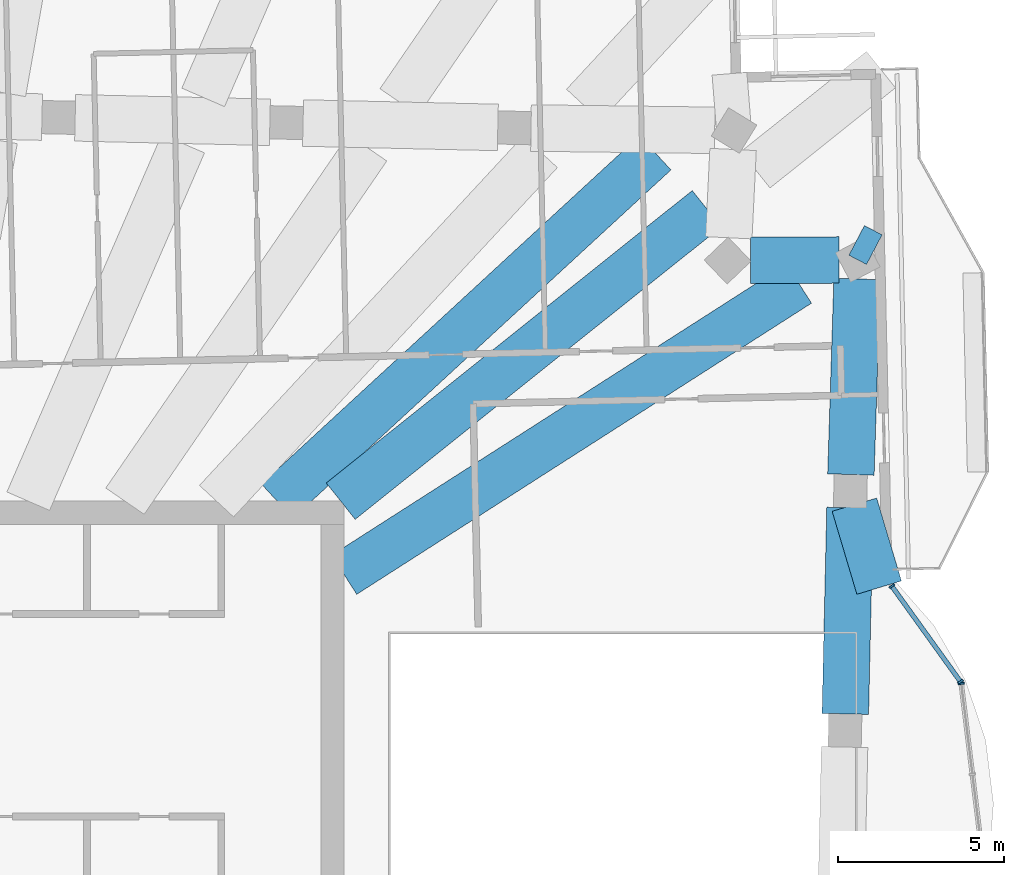
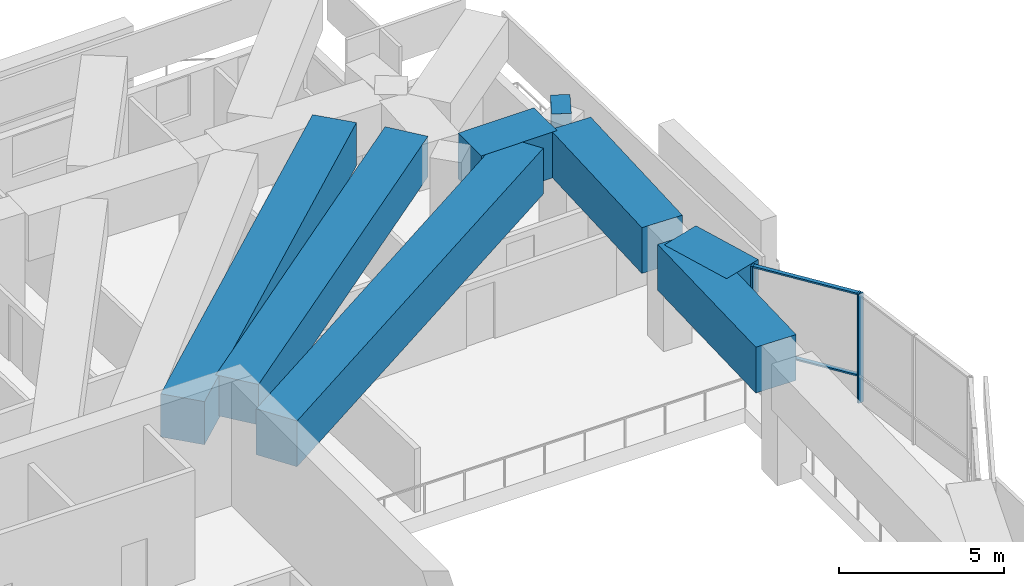
# One storey, part 7 of 21: 8 beams, 5 members, 2 elements without a shape of their own.
"""IFC4 building model written with IfcOpenShell, lengths in metres."""

import ifcopenshell
import ifcopenshell.guid

model = None  # the IFC model being written
_history = None  # IfcOwnerHistory: only IFC2X3 demands one
_inside = {}  # id of a spatial element -> (the spatial element, [elements in it])
_under = {}  # id of a project, library or spatial element -> (it, [spatial elements below it])
_declared = {}  # id of a project -> (the project, [libraries it declares])
_typed = {}  # id of a type object -> (the type object, [elements of that type])
_made_of = {}  # id of a material, layer set ... -> (it, [elements and type objects made of it])


def new_model(schema):
    """Start an empty IFC model of exactly this schema.

    Asked for "IFC4X3", IfcOpenShell would pick the latest addendum, in which some entities
    have other attributes; the version numbers below select the first issue.
    IFC2X3 requires an IfcOwnerHistory on every rooted entity: one is made here for all.
    """
    global model, _history
    if schema == "IFC4X3":
        model = ifcopenshell.file(schema_version=(4, 3, 0, 0))
    else:
        model = ifcopenshell.file(schema=schema)
    _inside.clear()
    _under.clear()
    _declared.clear()
    _typed.clear()
    _made_of.clear()
    _history = None
    if model.schema == "IFC2X3":
        org = make("IfcOrganization", Name="unknown")
        user = make(
            "IfcPersonAndOrganization",
            ThePerson=make("IfcPerson", FamilyName="unknown"),
            TheOrganization=org,
        )
        app = make(
            "IfcApplication",
            ApplicationDeveloper=org,
            Version="unknown",
            ApplicationFullName="unknown",
            ApplicationIdentifier="unknown",
        )
        _history = make(
            "IfcOwnerHistory",
            OwningUser=user,
            OwningApplication=app,
            ChangeAction="ADDED",
            CreationDate=0,
        )
    return model


def make(cls, **values):
    """One entity of the class cls with the attributes given. An attribute that is None is left unset."""
    return model.create_entity(
        cls, **{name: value for name, value in values.items() if value is not None}
    )


def rooted(cls, **values):
    """An entity with a GlobalId (a new one), such as an element, a storey or a relation."""
    return make(cls, GlobalId=ifcopenshell.guid.new(), OwnerHistory=_history, **values)


def si_unit(unit_type, name, prefix=None):
    """IfcSIUnit, for example si_unit("LENGTHUNIT", "METRE", prefix="MILLI")."""
    return make("IfcSIUnit", UnitType=unit_type, Prefix=prefix, Name=name)


def assignment(units):
    """IfcUnitAssignment: the units of a project."""
    return None if units is None else make("IfcUnitAssignment", Units=units)


def point(xyz):
    """IfcCartesianPoint."""
    return None if xyz is None else make("IfcCartesianPoint", Coordinates=xyz)


def direction(xyz):
    """IfcDirection."""
    return None if xyz is None else make("IfcDirection", DirectionRatios=xyz)


def frame(location, z_axis=None, x_axis=None):
    """IfcAxis2Placement3D, a coordinate frame: its origin and axes. An axis left out is left unset."""
    return make(
        "IfcAxis2Placement3D",
        Location=point(location),
        Axis=direction(z_axis),
        RefDirection=direction(x_axis),
    )


def frame_2d(location, x_axis=None):
    """IfcAxis2Placement2D, a coordinate frame in the plane: its origin and x axis."""
    return make(
        "IfcAxis2Placement2D", Location=point(location), RefDirection=direction(x_axis)
    )


def origin():
    """The frame at (0, 0, 0) with its axes left unset."""
    return frame((0.0, 0.0, 0.0))


def origin_2d():
    """The frame at (0, 0) in the plane with its x axis left unset."""
    return frame_2d((0.0, 0.0))


def place(relative_to, where):
    """IfcLocalPlacement: puts the frame where relative to a parent placement (None: the world)."""
    return make(
        "IfcLocalPlacement", PlacementRelTo=relative_to, RelativePlacement=where
    )


def context(
    kind, dimensions, precision=None, world=None, true_north=None, identifier=None
):
    """IfcGeometricRepresentationContext, for example the 3D "Model" context."""
    return make(
        "IfcGeometricRepresentationContext",
        ContextIdentifier=identifier,
        ContextType=kind,
        CoordinateSpaceDimension=dimensions,
        Precision=precision,
        WorldCoordinateSystem=world,
        TrueNorth=true_north,
    )


def subcontext(parent, identifier, kind, view, scale=None):
    """IfcGeometricRepresentationSubContext, for example "Body" below "Model"."""
    return make(
        "IfcGeometricRepresentationSubContext",
        ContextIdentifier=identifier,
        ContextType=kind,
        ParentContext=parent,
        TargetScale=scale,
        TargetView=view,
    )


def project(units=None, contexts=None):
    """IfcProject with its units and contexts."""
    return rooted(
        "IfcProject",
        Name="project",
        RepresentationContexts=contexts,
        UnitsInContext=assignment(units),
    )


def spatial(cls, under=None, at=None, **own):
    """A site, building, storey or space (cls), placed at a placement, below another one or the project."""
    s = rooted(cls, ObjectPlacement=at, **own)
    if under is not None:
        _under.setdefault(under.id(), (under, []))[1].append(s)
    return s


def profile(cls, at=None, kind="AREA", **sizes):
    """A parametric profile (cls). Its sizes go by their IFC names, for example OverallWidth=200.0."""
    return make(cls, ProfileType=kind, Position=at, **sizes)


def rectangle(**sizes):
    """IfcRectangleProfileDef."""
    return profile("IfcRectangleProfileDef", **sizes)


def extrude(swept, where, along, depth):
    """IfcExtrudedAreaSolid: the profile swept, set in the frame where, extruded along a direction by depth."""
    return make(
        "IfcExtrudedAreaSolid",
        SweptArea=swept,
        Position=where,
        ExtrudedDirection=direction(along),
        Depth=depth,
    )


def shape(context_of_items, identifier, shape_type, items):
    """IfcShapeRepresentation: the items that make up one representation, for example the "Body"."""
    return make(
        "IfcShapeRepresentation",
        ContextOfItems=context_of_items,
        RepresentationIdentifier=identifier,
        RepresentationType=shape_type,
        Items=items,
    )


def material(Name=None, Category=None):
    """IfcMaterial."""
    return make("IfcMaterial", Name=Name, Category=Category)


def material_profile(
    of_material, cross_section, Name=None, Category=None, Priority=None
):
    """IfcMaterialProfile: a cross section and its material."""
    return make(
        "IfcMaterialProfile",
        Name=Name,
        Material=of_material,
        Profile=cross_section,
        Priority=Priority,
        Category=Category,
    )


def profile_set(profiles, Name=None, composite=None):
    """IfcMaterialProfileSet."""
    return make(
        "IfcMaterialProfileSet",
        Name=Name,
        MaterialProfiles=profiles,
        CompositeProfile=composite,
    )


def made_of(thing, what):
    """Note that an element or type object is made of a material, layer set ...; save() writes the relation."""
    if what is not None:
        _made_of.setdefault(what.id(), (what, []))[1].append(thing)
    return thing


def type_object(cls, material=None, **own):
    """A type object (cls), such as IfcWallType, which elements share."""
    return made_of(rooted(cls, **own), material)


def element(
    cls,
    number,
    at=None,
    inside=None,
    cuts=None,
    type_object=None,
    material=None,
    context=None,
    identifier="Body",
    shape_type=None,
    held_by="IfcProductDefinitionShape",
    body=None,
    shapes=None,
    **own,
):
    """One element of the class cls, such as IfcWall. Its Tag is "e" and its number.

    at: its placement. inside: the storey or other place that contains it. cuts: it is an
    opening in that element (IfcRelVoidsElement). A single representation is given by context,
    identifier, shape_type and body (its items); several are given by shapes. held_by: the class
    of the entity that holds the representations. save() writes the other relations.
    """
    e = rooted(cls, Tag="e%d" % number, ObjectPlacement=at, **own)
    if body is not None:
        shapes = [shape(context, identifier, shape_type, body)]
    if shapes is not None:
        e.Representation = make(held_by, Representations=shapes)
    if inside is not None:
        _inside.setdefault(inside.id(), (inside, []))[1].append(e)
    if cuts is not None:
        rooted(
            "IfcRelVoidsElement", RelatingBuildingElement=cuts, RelatedOpeningElement=e
        )
    if type_object is not None:
        _typed.setdefault(type_object.id(), (type_object, []))[1].append(e)
    return made_of(e, material)


def aggregate(whole, parts):
    """IfcRelAggregates: a whole, such as a stair, and the parts it consists of."""
    return rooted("IfcRelAggregates", RelatingObject=whole, RelatedObjects=parts)


def save(model, path):
    """Write the relations noted so far, then the file.

    IfcRelAggregates (storeys below a building ...), IfcRelContainedInSpatialStructure (elements
    in a storey), IfcRelDefinesByType, IfcRelAssociatesMaterial and IfcRelDeclares: one each for
    every whole, place, type object, material and project.
    """
    for whole, parts in _under.values():
        aggregate(whole, parts)
    for where, things in _inside.values():
        rooted(
            "IfcRelContainedInSpatialStructure",
            RelatedElements=things,
            RelatingStructure=where,
        )
    for kind, things in _typed.values():
        rooted("IfcRelDefinesByType", RelatedObjects=things, RelatingType=kind)
    for what, things in _made_of.values():
        rooted("IfcRelAssociatesMaterial", RelatedObjects=things, RelatingMaterial=what)
    for by, libraries in _declared.values():
        rooted("IfcRelDeclares", RelatingContext=by, RelatedDefinitions=libraries)
    model.write(path)


model = new_model("IFC4")

# Units and contexts
model_context = context("Model", 3, precision=1e-05, world=origin(), true_north=direction((0.0, 1.0)))
body_context = subcontext(model_context, "Body", "Model", "MODEL_VIEW")
ifc_project = project(units=[si_unit("LENGTHUNIT", "METRE"), si_unit("AREAUNIT", "SQUARE_METRE"), si_unit("VOLUMEUNIT", "CUBIC_METRE"), si_unit("PLANEANGLEUNIT", "RADIAN"), si_unit("MASSUNIT", "GRAM", prefix="KILO")], contexts=[model_context])

# Site, building, storey
site_placement = place(None, origin())
site = spatial("IfcSite", under=ifc_project, at=site_placement, CompositionType="ELEMENT")
building_placement = place(site_placement, origin())
building = spatial("IfcBuilding", under=site, at=building_placement, Name="Mangrove Gate Tower", CompositionType="ELEMENT")
storey_placement = place(building_placement, frame((0.0, 0.0, 275.300048828125)))
storey = spatial("IfcBuildingStorey", under=building, at=storey_placement, Name="L70", CompositionType="ELEMENT", Elevation=275.300048828125)

# Curtain wall, member
ifc_material_1 = material(Name="Aluminium and glass curtain wall", Category="aluminium")
curtain_wall_type = type_object("IfcCurtainWallType", Name="Sky-lounge glazing wall", PredefinedType="NOTDEFINED", material=ifc_material_1)
curtain_wall_1_placement = place(storey_placement, origin())
curtain_wall_1 = element("IfcCurtainWall", 1, at=curtain_wall_1_placement, inside=storey, type_object=curtain_wall_type, Name="Sky-lounge glazing E1f2", PredefinedType="NOTDEFINED")
ifc_material_2 = material(Name="Aluminium alloy 6063-T6", Category="aluminium")
ifc_material_profile_1 = material_profile(ifc_material_2, rectangle(XDim=0.06005859375, YDim=0.179931640625, at=origin_2d()))
ifc_profile_set_1 = profile_set([ifc_material_profile_1], Name="Aluminium alloy 6063-T6")
member_type_1 = type_object("IfcMemberType", Name="Sky-lounge glazing mullion 60x180", PredefinedType="MULLION", material=ifc_profile_set_1)
member_1_placement = place(storey_placement, frame((33.086669921875, 6.008056640625, 0.0), z_axis=(0.0, 0.0, 1.0), x_axis=(-0.122172285885, 0.992508908051, 0.0)))
member_1 = element("IfcMember", 2, at=member_1_placement, type_object=member_type_1, Name="CWK mullion 3", PredefinedType="MULLION", context=body_context, shape_type="SweptSolid", body=[
    extrude(rectangle(XDim=0.06005859375, YDim=0.179931640625, at=origin_2d()), origin(), (0.0, 0.0, 1.0), 4.050048828125),
])
aggregate(curtain_wall_1, [member_1])

# Curtain wall, members
curtain_wall_2_placement = place(storey_placement, origin())
curtain_wall_2 = element("IfcCurtainWall", 3, at=curtain_wall_2_placement, inside=storey, type_object=curtain_wall_type, Name="Sky-lounge glazing E1f3", PredefinedType="NOTDEFINED")
member_2_placement = place(storey_placement, frame((33.0654296875, 6.062255859375, 0.0), z_axis=(0.0, 0.0, 1.0), x_axis=(-0.583756154765, 0.811929031242, 0.0)))
member_2 = element("IfcMember", 4, at=member_2_placement, type_object=member_type_1, Name="CWK mullion 1", PredefinedType="MULLION", context=body_context, shape_type="SweptSolid", body=[
    extrude(rectangle(XDim=0.06005859375, YDim=0.179931640625, at=origin_2d()), origin(), (0.0, 0.0, 1.0), 4.050048828125),
])
member_3_placement = place(storey_placement, frame((30.99755859375, 8.938720703125, 0.0), z_axis=(0.0, 0.0, 1.0), x_axis=(-0.583756154765, 0.811929031242, 0.0)))
member_3 = element("IfcMember", 5, at=member_3_placement, type_object=member_type_1, Name="CWK mullion 2", PredefinedType="MULLION", context=body_context, shape_type="SweptSolid", body=[
    extrude(rectangle(XDim=0.06005859375, YDim=0.179931640625, at=origin_2d()), origin(), (0.0, 0.0, 1.0), 4.050048828125),
])
ifc_material_3 = material(Name="Aluminium alloy 6063-T6", Category="aluminium")
ifc_material_profile_2 = material_profile(ifc_material_3, rectangle(XDim=0.06005859375, YDim=0.139892578125, at=origin_2d()))
ifc_profile_set_2 = profile_set([ifc_material_profile_2], Name="Aluminium alloy 6063-T6")
member_type_2 = type_object("IfcMemberType", Name="Sky-lounge glazing transom 60x140", PredefinedType="USERDEFINED", material=ifc_profile_set_2)
member_4_placement = place(storey_placement, frame((33.048095703125, 6.086669921875, 1.0), z_axis=(-0.583748713106, 0.811934381553, 0.0), x_axis=(0.0, 0.0, 1.0)))
member_4 = element("IfcMember", 6, at=member_4_placement, type_object=member_type_2, Name="CWK transom 1.2", ObjectType="TRANSOM", PredefinedType="USERDEFINED", context=body_context, shape_type="SweptSolid", body=[
    extrude(rectangle(XDim=0.06005859375, YDim=0.139892578125, at=origin_2d()), origin(), (0.0, 0.0, 1.0), 3.482666015625),
])
member_5_placement = place(storey_placement, frame((33.048095703125, 6.086669921875, 4.02001953125), z_axis=(-0.583748713106, 0.811934381553, 0.0), x_axis=(0.0, 0.0, 1.0)))
member_5 = element("IfcMember", 7, at=member_5_placement, type_object=member_type_2, Name="CWK transom 1.3", ObjectType="TRANSOM", PredefinedType="USERDEFINED", context=body_context, shape_type="SweptSolid", body=[
    extrude(rectangle(XDim=0.06005859375, YDim=0.139892578125, at=origin_2d()), origin(), (0.0, 0.0, 1.0), 3.482666015625),
])
aggregate(curtain_wall_2, [member_2, member_3, member_4, member_5])

# Beams
ifc_material_4 = material(Name="Concrete C50/60", Category="concrete")
ifc_material_profile_3 = material_profile(ifc_material_4, rectangle(XDim=1.39990234375, YDim=1.199951171875, at=origin_2d()))
ifc_profile_set_3 = profile_set([ifc_material_profile_3], Name="Concrete C50/60")
beam_type_1 = type_object("IfcBeamType", Name="Transfer girder RC 1400x1200 C50/60", PredefinedType="BEAM", material=ifc_profile_set_3)
beam_1_placement = place(storey_placement, frame((29.86962890625, 11.39453125, 3.449951171875), z_axis=(0.285758359288, -0.958301706196, 0.0), x_axis=(0.958301706196, 0.285758359288, 0.0)))
element("IfcBeam", 8, at=beam_1_placement, inside=storey, type_object=beam_type_1, Name="Transfer edge girder L70 17", PredefinedType="BEAM", context=body_context, shape_type="SweptSolid", body=[
    extrude(rectangle(XDim=1.39990234375, YDim=1.199951171875, at=origin_2d()), origin(), (0.0, 0.0, 1.0), 2.607421875),
])
ifc_material_5 = material(Name="Concrete C50/60", Category="concrete")
ifc_material_profile_4 = material_profile(ifc_material_5, rectangle(XDim=1.39990234375, YDim=1.5, at=origin_2d()))
ifc_profile_set_4 = profile_set([ifc_material_profile_4], Name="Concrete C50/60")
beam_type_2 = type_object("IfcBeamType", Name="Transfer girder RC 1400x1500 C50/60", PredefinedType="BEAM", material=ifc_profile_set_4)
beam_2_placement = place(storey_placement, frame((14.394287109375, 11.5, 3.300048828125), z_axis=(0.78128206653, 0.624178125633, 0.0), x_axis=(-0.624178125633, 0.78128206653, 0.0)))
element("IfcBeam", 9, at=beam_2_placement, inside=storey, type_object=beam_type_2, Name="Transfer girder L70 20", PredefinedType="BEAM", context=body_context, shape_type="SweptSolid", body=[
    extrude(rectangle(XDim=1.39990234375, YDim=1.5, at=origin_2d()), origin(), (0.0, 0.0, 1.0), 14.114990234375),
])
ifc_material_6 = material(Name="Concrete C50/60", Category="concrete")
ifc_material_profile_5 = material_profile(ifc_material_6, rectangle(XDim=1.39990234375, YDim=1.60009765625, at=origin_2d()))
ifc_profile_set_5 = profile_set([ifc_material_profile_5], Name="Concrete C50/60")
beam_type_3 = type_object("IfcBeamType", Name="Transfer girder RC 1400x1600 C50/60", PredefinedType="BEAM", material=ifc_profile_set_5)
beam_3_placement = place(storey_placement, frame((12.480712890625, 11.5, 3.25), z_axis=(0.735405750386, 0.677627022999, 0.0), x_axis=(-0.677627022999, 0.735405750386, 0.0)))
element("IfcBeam", 10, at=beam_3_placement, inside=storey, type_object=beam_type_3, Name="Transfer girder L70 21", PredefinedType="BEAM", context=body_context, shape_type="SweptSolid", body=[
    extrude(rectangle(XDim=1.39990234375, YDim=1.60009765625, at=origin_2d()), origin(), (0.0, 0.0, 1.0), 15.486328125),
])
ifc_material_7 = material(Name="Concrete C50/60", Category="concrete")
ifc_material_profile_6 = material_profile(ifc_material_7, rectangle(XDim=1.39990234375, YDim=1.699951171875, at=origin_2d()))
ifc_profile_set_6 = profile_set([ifc_material_profile_6], Name="Concrete C50/60")
beam_type_4 = type_object("IfcBeamType", Name="Transfer girder RC 1400x1700 C50/60", PredefinedType="BEAM", material=ifc_profile_set_6)
beam_4_placement = place(storey_placement, frame((29.596435546875, 5.09228515625, 3.199951171875), z_axis=(0.022599093821, 0.999744607867, 0.0), x_axis=(-0.999744607867, 0.022599093821, 0.0)))
element("IfcBeam", 11, at=beam_4_placement, inside=storey, type_object=beam_type_4, Name="Transfer ring girder L70 16", PredefinedType="BEAM", context=body_context, shape_type="SweptSolid", body=[
    extrude(rectangle(XDim=1.39990234375, YDim=1.699951171875, at=origin_2d()), origin(), (0.0, 0.0, 1.0), 6.211669921875),
])
beam_5_placement = place(storey_placement, frame((29.763916015625, 12.302001953125, 3.199951171875), z_axis=(0.031759593867, 0.999495536857, 0.0), x_axis=(-0.999495536857, 0.031759593867, 0.0)))
element("IfcBeam", 12, at=beam_5_placement, inside=storey, type_object=beam_type_4, Name="Transfer ring girder L70 17", PredefinedType="BEAM", context=body_context, shape_type="SweptSolid", body=[
    extrude(rectangle(XDim=1.39990234375, YDim=1.699951171875, at=origin_2d()), origin(), (0.0, 0.0, 1.0), 5.89599609375),
])
beam_6_placement = place(storey_placement, frame((29.40625, 18.76611328125, 3.199951171875), z_axis=(-0.999982838494, -0.005858559288, 0.0), x_axis=(0.005858559288, -0.999982838494, 0.0)))
element("IfcBeam", 13, at=beam_6_placement, inside=storey, type_object=beam_type_4, Name="Transfer ring girder L70 18", PredefinedType="BEAM", context=body_context, shape_type="SweptSolid", body=[
    extrude(rectangle(XDim=1.39990234375, YDim=1.699951171875, at=origin_2d()), origin(), (0.0, 0.0, 1.0), 2.6669921875),
])
beam_7_placement = place(storey_placement, frame((14.5, 9.282958984375, 3.199951171875), z_axis=(0.842186894484, 0.539185714536, 0.0), x_axis=(-0.539185714536, 0.842186894484, 0.0)))
element("IfcBeam", 14, at=beam_7_placement, inside=storey, type_object=beam_type_4, Name="Transfer girder L70 19", PredefinedType="BEAM", context=body_context, shape_type="SweptSolid", body=[
    extrude(rectangle(XDim=1.39990234375, YDim=1.699951171875, at=origin_2d()), origin(), (0.0, 0.0, 1.0), 16.26708984375),
])
ifc_material_8 = material(Name="Concrete C50/60", Category="concrete")
ifc_material_profile_7 = material_profile(ifc_material_8, rectangle(XDim=0.60009765625, YDim=1.0, at=origin_2d()))
ifc_profile_set_7 = profile_set([ifc_material_profile_7], Name="Concrete C50/60")
beam_type_5 = type_object("IfcBeamType", Name="Transfer girder RC 600x1000 C50/60", PredefinedType="BEAM", material=ifc_profile_set_7)
beam_8_placement = place(storey_placement, frame((29.96923828125, 18.76953125, 3.550048828125), z_axis=(0.463979862488, 0.885845746846, 0.0), x_axis=(-0.885845746846, 0.463979862488, 0.0)))
element("IfcBeam", 15, at=beam_8_placement, inside=storey, type_object=beam_type_5, Name="Transfer edge girder L70 19", PredefinedType="BEAM", context=body_context, shape_type="SweptSolid", body=[
    extrude(rectangle(XDim=0.60009765625, YDim=1.0, at=origin_2d()), origin(), (0.0, 0.0, 1.0), 1.0087890625),
])

save(model, "model.ifc")
